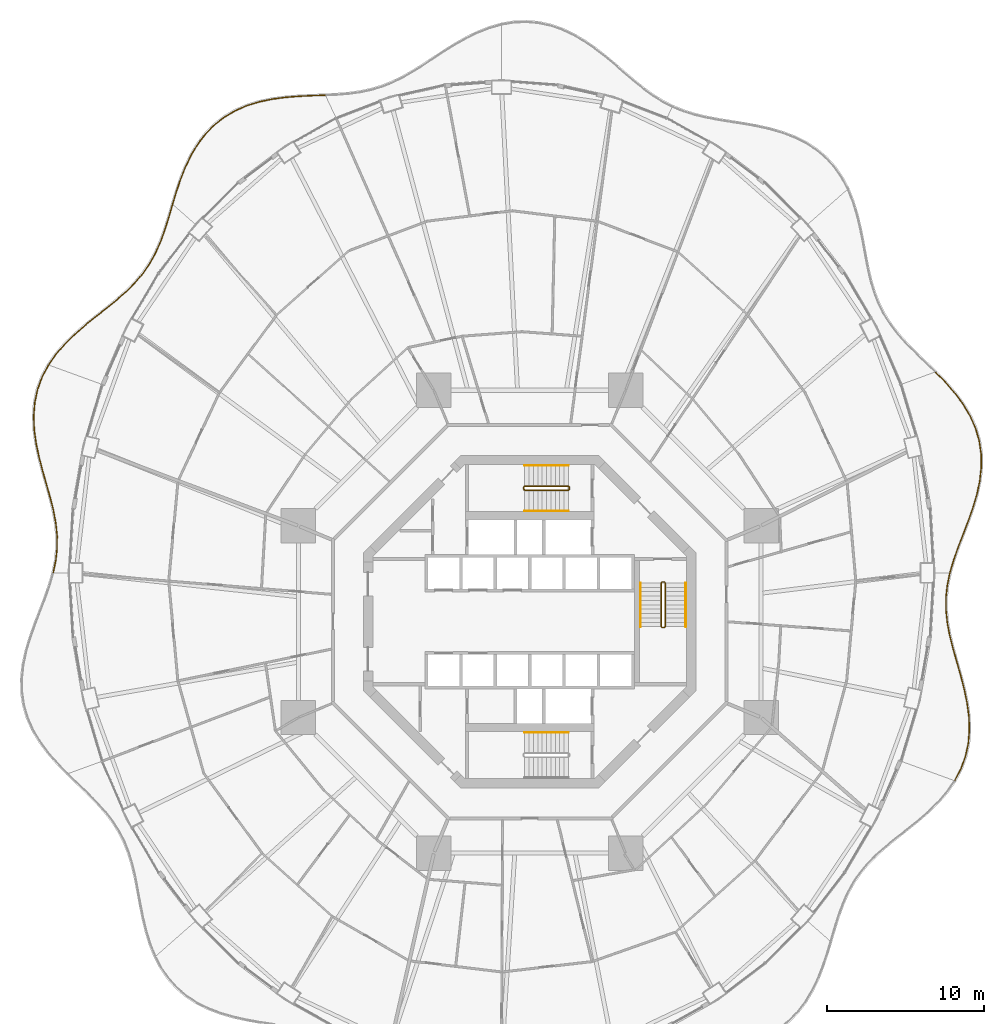
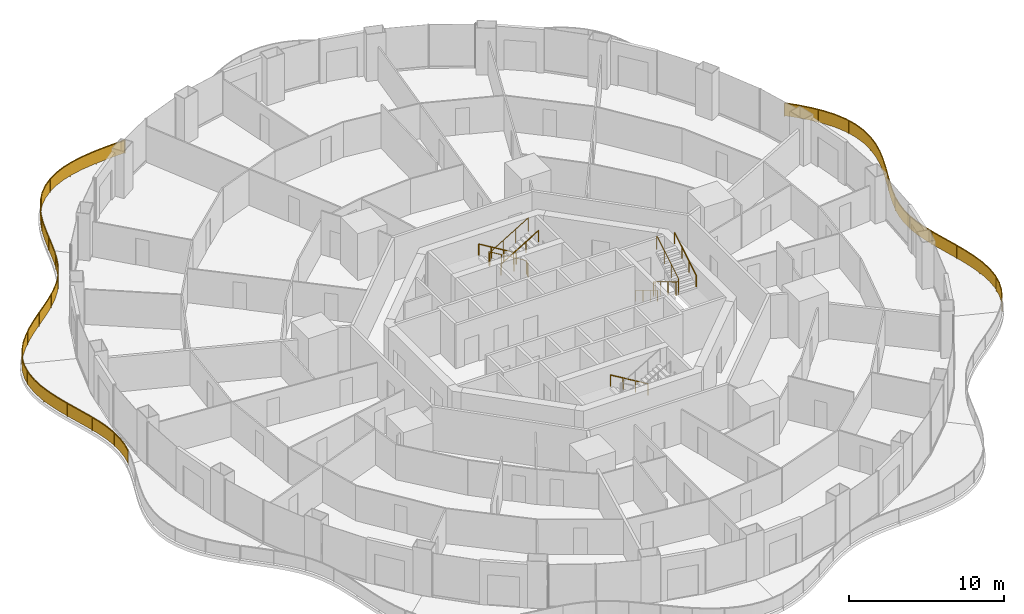
# One storey, part 21 of 22: 12 railings.
"""IFC4 building model written with IfcOpenShell, lengths in metres."""

from ifc_helpers import new_model, si_unit, direction, frame, origin, origin_2d, place, context, subcontext, project, spatial, polyline, rectangle, circle, outline, extrude, material, type_object, element, save


model = new_model("IFC4")

# Units and contexts
model_context = context("Model", 3, precision=1e-05, world=origin(), true_north=direction((0.0, 1.0)))
body_context = subcontext(model_context, "Body", "Model", "MODEL_VIEW")
ifc_project = project(units=[si_unit("LENGTHUNIT", "METRE"), si_unit("AREAUNIT", "SQUARE_METRE"), si_unit("VOLUMEUNIT", "CUBIC_METRE"), si_unit("PLANEANGLEUNIT", "RADIAN"), si_unit("MASSUNIT", "GRAM", prefix="KILO")], contexts=[model_context])

# Site, building, storey
site_placement = place(None, origin())
site = spatial("IfcSite", under=ifc_project, at=site_placement, CompositionType="ELEMENT")
building_placement = place(site_placement, origin())
building = spatial("IfcBuilding", under=site, at=building_placement, Name="Nagisa Residences", CompositionType="ELEMENT")
storey_placement = place(building_placement, frame((0.0, 0.0, 77.0)))
storey = spatial("IfcBuildingStorey", under=building, at=storey_placement, Name="L18", CompositionType="ELEMENT", Elevation=77.0)

# Railings
ifc_material_1 = material(Name="Stainless steel 316", Category="steel")
railing_type_1 = type_object("IfcRailingType", Name="BALCONY GUARD 1100", PredefinedType="BALUSTRADE", material=ifc_material_1)
railing_1_placement = place(storey_placement, frame((26.8505859375, 3.15185546875, 0.0)))
element("IfcRailing", 1, at=railing_1_placement, inside=storey, type_object=railing_type_1, Name="guard:L18:bal00-0", PredefinedType="BALUSTRADE", context=body_context, shape_type="SweptSolid", body=[
    extrude(outline(polyline([(0.19775390625, 0.763427734375), (-0.02392578125, 0.007080078125), (0.02392578125, -0.007080078125), (0.24560546875, 0.748291015625), (0.5302734375, 1.557373046875), (0.846923828125, 2.3828125), (1.169921875, 3.2255859375), (1.47314453125, 4.083740234375), (1.732666015625, 4.93994140625), (1.92041015625, 5.816650390625), (2.01806640625, 6.69189453125), (2.009765625, 7.55810546875), (1.886962890625, 8.406982421875), (1.650390625, 9.216796875), (1.298583984375, 10.0087890625), (0.84619140625, 10.765380859375), (0.309814453125, 11.485107421875), (-0.288818359375, 12.169677734375), (-0.896240234375, 12.789306640625), (-0.931884765625, 12.754150390625), (-0.325439453125, 12.135498046875), (0.270751953125, 11.453857421875), (0.8046875, 10.737548828125), (1.254150390625, 9.98583984375), (1.603515625, 9.19970703125), (1.838134765625, 8.396240234375), (1.9599609375, 7.55419921875), (1.9677734375, 6.6943359375), (1.87109375, 5.824462890625), (1.684326171875, 4.95263671875), (1.42578125, 4.099365234375), (1.123046875, 3.24267578125), (0.800048828125, 2.40087890625), (0.4833984375, 1.574462890625), (0.19775390625, 0.763427734375)])), frame((0.0, 0.0, 1.050048828125)), (0.0, 0.0, 1.0), 0.050048828125),
    extrude(outline(polyline([(0.215087890625, 0.758056640625), (-0.0068359375, 0.001953125), (0.0068359375, -0.001953125), (0.228271484375, 0.753662109375), (0.513427734375, 1.5634765625), (0.830078125, 2.389404296875), (1.153076171875, 3.231689453125), (1.4560546875, 4.08935546875), (1.71533203125, 4.944580078125), (1.902587890625, 5.8193359375), (2.0, 6.69287109375), (1.991943359375, 7.556640625), (1.869384765625, 8.403076171875), (1.633544921875, 9.210693359375), (1.282470703125, 10.00048828125), (0.831298828125, 10.75537109375), (0.295654296875, 11.473876953125), (-0.302001953125, 12.1572265625), (-0.9091796875, 12.776611328125), (-0.9189453125, 12.766845703125), (-0.312255859375, 12.14794921875), (0.284912109375, 11.465087890625), (0.819580078125, 10.74755859375), (1.270263671875, 9.994140625), (1.620361328125, 9.205810546875), (1.855712890625, 8.400146484375), (1.977783203125, 7.5556640625), (1.98583984375, 6.693359375), (1.888916015625, 5.82177734375), (1.70166015625, 4.947998046875), (1.44287109375, 4.09375), (1.139892578125, 3.236572265625), (0.81689453125, 2.394287109375), (0.500244140625, 1.568359375), (0.215087890625, 0.758056640625)])), frame((0.0, 0.0, 0.06005859375)), (0.0, 0.0, 1.0), 0.989990234375),
    extrude(rectangle(XDim=0.0400390625, YDim=0.0400390625, at=origin_2d()), origin(), (0.0, 0.0, 1.0), 1.050048828125),
    extrude(rectangle(XDim=0.0400390625, YDim=0.0400390625, at=origin_2d()), frame((0.75146484375, 2.203857421875, 0.0)), (0.0, 0.0, 1.0), 1.050048828125),
    extrude(rectangle(XDim=0.0400390625, YDim=0.0400390625, at=origin_2d()), frame((1.541259765625, 4.39453125, 0.0)), (0.0, 0.0, 1.0), 1.050048828125),
    extrude(rectangle(XDim=0.0400390625, YDim=0.0400390625, at=origin_2d()), frame((1.99072265625, 6.67431640625, 0.0)), (0.0, 0.0, 1.0), 1.050048828125),
    extrude(rectangle(XDim=0.0400390625, YDim=0.0400390625, at=origin_2d()), frame((1.6962890625, 8.97119140625, 0.0)), (0.0, 0.0, 1.0), 1.050048828125),
    extrude(rectangle(XDim=0.0400390625, YDim=0.0400390625, at=origin_2d()), frame((0.6220703125, 11.0244140625, 0.0)), (0.0, 0.0, 1.0), 1.050048828125),
    extrude(rectangle(XDim=0.0400390625, YDim=0.0400390625, at=origin_2d()), frame((-0.9140625, 12.771728515625, 0.0)), (0.0, 0.0, 1.0), 1.050048828125),
])
railing_2_placement = place(storey_placement, frame((-13.094482421875, 33.63037109375, 0.0)))
element("IfcRailing", 2, at=railing_2_placement, inside=storey, type_object=railing_type_1, Name="guard:L18:bal05-0", PredefinedType="BALUSTRADE", context=body_context, shape_type="SweptSolid", body=[
    extrude(outline(polyline([(-0.78466796875, -0.052001953125), (0.0009765625, -0.02490234375), (-0.0009765625, 0.02490234375), (-0.78662109375, -0.002197265625), (-1.63427734375, -0.04248046875), (-2.488525390625, -0.110595703125), (-3.337890625, -0.2236328125), (-4.168701171875, -0.39697265625), (-4.95703125, -0.635009765625), (-5.715087890625, -0.962646484375), (-6.41845703125, -1.376220703125), (-7.05859375, -1.874755859375), (-7.630126953125, -2.454345703125), (-8.1181640625, -3.09521484375), (-8.54931640625, -3.8076171875), (-8.917236328125, -4.56689453125), (-9.23095703125, -5.357666015625), (-9.503173828125, -6.16357421875), (-9.73291015625, -6.92724609375), (-9.68505859375, -6.94189453125), (-9.455322265625, -6.1787109375), (-9.18408203125, -5.374755859375), (-8.871337890625, -4.5869140625), (-8.50537109375, -3.83154296875), (-8.07666015625, -3.12353515625), (-7.592041015625, -2.487060546875), (-7.025390625, -1.912353515625), (-6.39013671875, -1.417724609375), (-5.692626953125, -1.007568359375), (-4.93994140625, -0.681884765625), (-4.156494140625, -0.4453125), (-3.32958984375, -0.27294921875), (-2.483154296875, -0.160400390625), (-1.630859375, -0.09228515625), (-0.78466796875, -0.052001953125)])), frame((0.0, 0.0, 1.050048828125)), (0.0, 0.0, 1.0), 0.050048828125),
    extrude(outline(polyline([(-0.785400390625, -0.0341796875), (0.000244140625, -0.007080078125), (-0.000244140625, 0.007080078125), (-0.785888671875, -0.02001953125), (-1.633056640625, -0.060302734375), (-2.486572265625, -0.12841796875), (-3.3349609375, -0.241455078125), (-4.164306640625, -0.414306640625), (-4.950927734375, -0.65185546875), (-5.70703125, -0.978759765625), (-6.408203125, -1.39111328125), (-7.046630859375, -1.888427734375), (-7.616455078125, -2.466064453125), (-8.103271484375, -3.10546875), (-8.533447265625, -3.816162109375), (-8.900634765625, -4.573974609375), (-9.214111328125, -5.36376953125), (-9.48583984375, -6.1689453125), (-9.715576171875, -6.9326171875), (-9.702392578125, -6.9365234375), (-9.47265625, -6.17333984375), (-9.200927734375, -5.36865234375), (-8.887939453125, -4.579833984375), (-8.521240234375, -3.822998046875), (-8.091552734375, -3.11328125), (-7.605712890625, -2.475341796875), (-7.037353515625, -1.898681640625), (-6.400390625, -1.40283203125), (-5.70068359375, -0.991455078125), (-4.946044921875, -0.6650390625), (-4.160888671875, -0.427978515625), (-3.33251953125, -0.255126953125), (-2.485107421875, -0.142578125), (-1.632080078125, -0.074462890625), (-0.785400390625, -0.0341796875)])), frame((0.0, 0.0, 0.06005859375)), (0.0, 0.0, 1.0), 0.989990234375),
    extrude(rectangle(XDim=0.0400390625, YDim=0.0400390625, at=origin_2d()), origin(), (0.0, 0.0, 1.0), 1.050048828125),
    extrude(rectangle(XDim=0.0400390625, YDim=0.0400390625, at=origin_2d()), frame((-2.203125, -0.113037109375, 0.0)), (0.0, 0.0, 1.0), 1.050048828125),
    extrude(rectangle(XDim=0.0400390625, YDim=0.0400390625, at=origin_2d()), frame((-4.373779296875, -0.48486328125, 0.0)), (0.0, 0.0, 1.0), 1.050048828125),
    extrude(rectangle(XDim=0.0400390625, YDim=0.0400390625, at=origin_2d()), frame((-6.378662109375, -1.3818359375, 0.0)), (0.0, 0.0, 1.0), 1.050048828125),
    extrude(rectangle(XDim=0.0400390625, YDim=0.0400390625, at=origin_2d()), frame((-7.948974609375, -2.91455078125, 0.0)), (0.0, 0.0, 1.0), 1.050048828125),
    extrude(rectangle(XDim=0.0400390625, YDim=0.0400390625, at=origin_2d()), frame((-9.001220703125, -4.84619140625, 0.0)), (0.0, 0.0, 1.0), 1.050048828125),
    extrude(rectangle(XDim=0.0400390625, YDim=0.0400390625, at=origin_2d()), frame((-9.708984375, -6.9345703125, 0.0)), (0.0, 0.0, 1.0), 1.050048828125),
])
railing_3_placement = place(storey_placement, frame((-22.823486328125, 26.622314453125, 0.0)))
element("IfcRailing", 3, at=railing_3_placement, inside=storey, type_object=railing_type_1, Name="guard:L18:bal06-0", PredefinedType="BALUSTRADE", context=body_context, shape_type="SweptSolid", body=[
    extrude(outline(polyline([(-0.207275390625, -0.795654296875), (0.02392578125, -0.007080078125), (-0.02392578125, 0.007080078125), (-0.255126953125, -0.781005859375), (-0.5078125, -1.58349609375), (-0.78564453125, -2.34765625), (-1.104248046875, -3.06689453125), (-1.475830078125, -3.739990234375), (-1.900390625, -4.356201171875), (-2.3974609375, -4.946533203125), (-2.956787109375, -5.5068359375), (-3.570556640625, -6.04833984375), (-4.22607421875, -6.582275390625), (-4.89990234375, -7.108154296875), (-5.585205078125, -7.66357421875), (-6.25341796875, -8.24560546875), (-6.88232421875, -8.862060546875), (-7.45068359375, -9.5185546875), (-7.913818359375, -10.177978515625), (-7.872802734375, -10.206787109375), (-7.4111328125, -9.54931640625), (-6.845703125, -8.896240234375), (-6.21923828125, -8.2822265625), (-5.552978515625, -7.70166015625), (-4.86865234375, -7.147216796875), (-4.19482421875, -6.621337890625), (-3.538330078125, -6.08642578125), (-2.922607421875, -5.54345703125), (-2.3603515625, -4.980224609375), (-1.8603515625, -4.386474609375), (-1.433349609375, -3.766357421875), (-1.059326171875, -3.08935546875), (-0.7392578125, -2.3662109375), (-0.46044921875, -1.599609375), (-0.207275390625, -0.795654296875)])), frame((0.0, 0.0, 1.050048828125)), (0.0, 0.0, 1.0), 0.050048828125),
    extrude(outline(polyline([(-0.224609375, -0.790283203125), (0.0068359375, -0.001953125), (-0.0068359375, 0.001953125), (-0.23779296875, -0.786376953125), (-0.49072265625, -1.58935546875), (-0.76904296875, -2.354248046875), (-1.088134765625, -3.074951171875), (-1.46044921875, -3.74951171875), (-1.885986328125, -4.3671875), (-2.384033203125, -4.958740234375), (-2.944580078125, -5.52001953125), (-3.55908203125, -6.06201171875), (-4.21484375, -6.596435546875), (-4.888671875, -7.122314453125), (-5.573486328125, -7.67724609375), (-6.240966796875, -8.2587890625), (-6.869140625, -8.874267578125), (-7.4365234375, -9.529541015625), (-7.89892578125, -10.1884765625), (-7.8876953125, -10.1962890625), (-7.42529296875, -9.538330078125), (-6.85888671875, -8.884033203125), (-6.231689453125, -8.26904296875), (-5.564697265625, -7.68798828125), (-4.8798828125, -7.133056640625), (-4.2060546875, -6.607177734375), (-3.5498046875, -6.07275390625), (-2.934814453125, -5.5302734375), (-2.373779296875, -4.968017578125), (-1.874755859375, -4.37548828125), (-1.44873046875, -3.7568359375), (-1.075439453125, -3.081298828125), (-0.755859375, -2.359619140625), (-0.4775390625, -1.59375), (-0.224609375, -0.790283203125)])), frame((0.0, 0.0, 0.06005859375)), (0.0, 0.0, 1.0), 0.989990234375),
    extrude(rectangle(XDim=0.0400390625, YDim=0.0400390625, at=origin_2d()), origin(), (0.0, 0.0, 1.0), 1.050048828125),
    extrude(rectangle(XDim=0.0400390625, YDim=0.0400390625, at=origin_2d()), frame((-0.6669921875, -2.094482421875, 0.0)), (0.0, 0.0, 1.0), 1.050048828125),
    extrude(rectangle(XDim=0.0400390625, YDim=0.0400390625, at=origin_2d()), frame((-1.65869140625, -4.04931640625, 0.0)), (0.0, 0.0, 1.0), 1.050048828125),
    extrude(rectangle(XDim=0.0400390625, YDim=0.0400390625, at=origin_2d()), frame((-3.119873046875, -5.68408203125, 0.0)), (0.0, 0.0, 1.0), 1.050048828125),
    extrude(rectangle(XDim=0.0400390625, YDim=0.0400390625, at=origin_2d()), frame((-4.81982421875, -7.077392578125, 0.0)), (0.0, 0.0, 1.0), 1.050048828125),
    extrude(rectangle(XDim=0.0400390625, YDim=0.0400390625, at=origin_2d()), frame((-6.48681640625, -8.509521484375, 0.0)), (0.0, 0.0, 1.0), 1.050048828125),
    extrude(rectangle(XDim=0.0400390625, YDim=0.0400390625, at=origin_2d()), frame((-7.893310546875, -10.1923828125, 0.0)), (0.0, 0.0, 1.0), 1.050048828125),
])
railing_4_placement = place(storey_placement, frame((-30.757568359375, 16.3642578125, 0.0)))
element("IfcRailing", 4, at=railing_4_placement, inside=storey, type_object=railing_type_1, Name="guard:L18:bal07-0", PredefinedType="BALUSTRADE", context=body_context, shape_type="SweptSolid", body=[
    extrude(outline(polyline([(-0.361572265625, -0.73193359375), (0.02197265625, -0.01171875), (-0.02197265625, 0.01171875), (-0.407470703125, -0.71142578125), (-0.703369140625, -1.517578125), (-0.884521484375, -2.3583984375), (-0.95361328125, -3.2255859375), (-0.919921875, -4.109375), (-0.7958984375, -4.9873046875), (-0.6083984375, -5.877197265625), (-0.378173828125, -6.7578125), (-0.13134765625, -7.62353515625), (0.1064453125, -8.47119140625), (0.312255859375, -9.285888671875), (0.461669921875, -10.095947265625), (0.541259765625, -10.8916015625), (0.540771484375, -11.677734375), (0.45703125, -12.4609375), (0.302001953125, -13.206787109375), (0.350830078125, -13.217041015625), (0.50634765625, -12.46875), (0.590576171875, -11.6806640625), (0.591552734375, -10.88916015625), (0.511474609375, -10.089111328125), (0.361083984375, -9.275146484375), (0.15478515625, -8.45849609375), (-0.0830078125, -7.60986328125), (-0.329833984375, -6.74462890625), (-0.5595703125, -5.865478515625), (-0.74658203125, -4.978515625), (-0.8701171875, -4.10498046875), (-0.9033203125, -3.2265625), (-0.834716796875, -2.36572265625), (-0.655029296875, -1.53173828125), (-0.361572265625, -0.73193359375)])), frame((0.0, 0.0, 1.050048828125)), (0.0, 0.0, 1.0), 0.050048828125),
    extrude(outline(polyline([(-0.378173828125, -0.724609375), (0.006103515625, -0.003173828125), (-0.006103515625, 0.003173828125), (-0.390869140625, -0.71875), (-0.68603515625, -1.522705078125), (-0.866455078125, -2.361083984375), (-0.935546875, -3.225830078125), (-0.902099609375, -4.10791015625), (-0.778076171875, -4.984130859375), (-0.5908203125, -5.873046875), (-0.36083984375, -6.753173828125), (-0.114013671875, -7.61865234375), (0.123779296875, -8.466552734375), (0.329833984375, -9.281982421875), (0.479736328125, -10.093505859375), (0.559326171875, -10.890625), (0.55859375, -11.6787109375), (0.474853515625, -12.4638671875), (0.319580078125, -13.21044921875), (0.333251953125, -13.21337890625), (0.488525390625, -12.4658203125), (0.57275390625, -11.6796875), (0.573486328125, -10.89013671875), (0.493408203125, -10.091552734375), (0.343505859375, -9.279052734375), (0.137451171875, -8.463134765625), (-0.100341796875, -7.61474609375), (-0.34716796875, -6.749267578125), (-0.5771484375, -5.86962890625), (-0.764404296875, -4.981689453125), (-0.887939453125, -4.1064453125), (-0.92138671875, -3.226318359375), (-0.852783203125, -2.363037109375), (-0.67236328125, -1.526611328125), (-0.378173828125, -0.724609375)])), frame((0.0, 0.0, 0.06005859375)), (0.0, 0.0, 1.0), 0.989990234375),
    extrude(rectangle(XDim=0.0400390625, YDim=0.0400390625, at=origin_2d()), origin(), (0.0, 0.0, 1.0), 1.050048828125),
    extrude(rectangle(XDim=0.0400390625, YDim=0.0400390625, at=origin_2d()), frame((-0.80322265625, -2.100341796875, 0.0)), (0.0, 0.0, 1.0), 1.050048828125),
    extrude(rectangle(XDim=0.0400390625, YDim=0.0400390625, at=origin_2d()), frame((-0.860595703125, -4.3505859375, 0.0)), (0.0, 0.0, 1.0), 1.050048828125),
    extrude(rectangle(XDim=0.0400390625, YDim=0.0400390625, at=origin_2d()), frame((-0.403076171875, -6.5634765625, 0.0)), (0.0, 0.0, 1.0), 1.050048828125),
    extrude(rectangle(XDim=0.0400390625, YDim=0.0400390625, at=origin_2d()), frame((0.200927734375, -8.7431640625, 0.0)), (0.0, 0.0, 1.0), 1.050048828125),
    extrude(rectangle(XDim=0.0400390625, YDim=0.0400390625, at=origin_2d()), frame((0.56640625, -10.970458984375, 0.0)), (0.0, 0.0, 1.0), 1.050048828125),
    extrude(rectangle(XDim=0.0400390625, YDim=0.0400390625, at=origin_2d()), frame((0.326416015625, -13.2119140625, 0.0)), (0.0, 0.0, 1.0), 1.050048828125),
])
railing_5_placement = place(storey_placement, frame((27.15771484375, -10.128662109375, 0.0)))
element("IfcRailing", 5, at=railing_5_placement, inside=storey, type_object=railing_type_1, Name="guard:L18:bal15-0", PredefinedType="BALUSTRADE", context=body_context, shape_type="SweptSolid", body=[
    extrude(outline(polyline([(0.361328125, 0.731689453125), (-0.02197265625, 0.01171875), (0.02197265625, -0.01171875), (0.4072265625, 0.711181640625), (0.703125, 1.517333984375), (0.884521484375, 2.358154296875), (0.953369140625, 3.225341796875), (0.919677734375, 4.109375), (0.795654296875, 4.987060546875), (0.608154296875, 5.876953125), (0.3779296875, 6.757568359375), (0.131103515625, 7.62353515625), (-0.106689453125, 8.470947265625), (-0.312255859375, 9.28564453125), (-0.4619140625, 10.095703125), (-0.541259765625, 10.891357421875), (-0.541015625, 11.677978515625), (-0.457275390625, 12.4609375), (-0.302001953125, 13.20654296875), (-0.350830078125, 13.216796875), (-0.506591796875, 12.46875), (-0.5908203125, 11.680419921875), (-0.591552734375, 10.888916015625), (-0.51171875, 10.0888671875), (-0.361083984375, 9.27490234375), (-0.155029296875, 8.458251953125), (0.082763671875, 7.60986328125), (0.32958984375, 6.744384765625), (0.559326171875, 5.865234375), (0.746337890625, 4.978271484375), (0.869873046875, 4.10498046875), (0.903076171875, 3.226318359375), (0.834716796875, 2.365478515625), (0.65478515625, 1.531494140625), (0.361328125, 0.731689453125)])), frame((0.0, 0.0, 1.050048828125)), (0.0, 0.0, 1.0), 0.050048828125),
    extrude(outline(polyline([(0.3779296875, 0.724365234375), (-0.006103515625, 0.003173828125), (0.006103515625, -0.003173828125), (0.390625, 0.718505859375), (0.685791015625, 1.5224609375), (0.866455078125, 2.36083984375), (0.935302734375, 3.2255859375), (0.90185546875, 4.10791015625), (0.77783203125, 4.98388671875), (0.590576171875, 5.872802734375), (0.360595703125, 6.7529296875), (0.11376953125, 7.61865234375), (-0.1240234375, 8.46630859375), (-0.329833984375, 9.28173828125), (-0.47998046875, 10.09326171875), (-0.559326171875, 10.890380859375), (-0.558837890625, 11.6787109375), (-0.47509765625, 12.4638671875), (-0.319580078125, 13.210205078125), (-0.333251953125, 13.213134765625), (-0.48876953125, 12.4658203125), (-0.572998046875, 11.6796875), (-0.573486328125, 10.889892578125), (-0.49365234375, 10.09130859375), (-0.343505859375, 9.27880859375), (-0.1376953125, 8.462890625), (0.10009765625, 7.61474609375), (0.346923828125, 6.7490234375), (0.576904296875, 5.869384765625), (0.76416015625, 4.9814453125), (0.8876953125, 4.1064453125), (0.921142578125, 3.22607421875), (0.852783203125, 2.36279296875), (0.672119140625, 1.5263671875), (0.3779296875, 0.724365234375)])), frame((0.0, 0.0, 0.06005859375)), (0.0, 0.0, 1.0), 0.989990234375),
    extrude(rectangle(XDim=0.0400390625, YDim=0.0400390625, at=origin_2d()), origin(), (0.0, 0.0, 1.0), 1.050048828125),
    extrude(rectangle(XDim=0.0400390625, YDim=0.0400390625, at=origin_2d()), frame((0.80322265625, 2.100341796875, 0.0)), (0.0, 0.0, 1.0), 1.050048828125),
    extrude(rectangle(XDim=0.0400390625, YDim=0.0400390625, at=origin_2d()), frame((0.8603515625, 4.350341796875, 0.0)), (0.0, 0.0, 1.0), 1.050048828125),
    extrude(rectangle(XDim=0.0400390625, YDim=0.0400390625, at=origin_2d()), frame((0.40283203125, 6.563232421875, 0.0)), (0.0, 0.0, 1.0), 1.050048828125),
    extrude(rectangle(XDim=0.0400390625, YDim=0.0400390625, at=origin_2d()), frame((-0.201171875, 8.742919921875, 0.0)), (0.0, 0.0, 1.0), 1.050048828125),
    extrude(rectangle(XDim=0.0400390625, YDim=0.0400390625, at=origin_2d()), frame((-0.56640625, 10.97021484375, 0.0)), (0.0, 0.0, 1.0), 1.050048828125),
    extrude(rectangle(XDim=0.0400390625, YDim=0.0400390625, at=origin_2d()), frame((-0.326416015625, 13.211669921875, 0.0)), (0.0, 0.0, 1.0), 1.050048828125),
])
ifc_material_2 = material(Name="Stainless steel", Category="steel")
railing_type_2 = type_object("IfcRailingType", Name="Stair guard 1100", PredefinedType="GUARDRAIL", material=ifc_material_2)
railing_6_placement = place(storey_placement, frame((8.599609375, 2.52490234375, 0.0)))
element("IfcRailing", 6, at=railing_6_placement, inside=storey, type_object=railing_type_2, Name="L18 ST-E stair guard 1", PredefinedType="GUARDRAIL", context=body_context, shape_type="SweptSolid", body=[
    extrude(circle(Radius=0.02392578125, at=origin_2d()), frame((0.0, 0.0, 1.076171875), z_axis=(-1.0, 0.0, 0.0), x_axis=(0.0, -1.0, 0.0)), (0.0, 0.0, 1.0), 0.14990234375),
    extrude(circle(Radius=0.02392578125, at=origin_2d()), frame((-0.14990234375, 0.0, 1.076171875), z_axis=(-0.27434429532, -0.273006030465, 0.922064485248), x_axis=(0.705375805398, -0.708833529934, 0.0)), (0.0, 0.0, 1.0), 0.182373046875),
    extrude(circle(Radius=0.02392578125, at=origin_2d()), frame((-0.199951171875, -0.0498046875, 1.244140625), z_axis=(0.0, -0.857242210791, 0.514913383045), x_axis=(1.0, 0.0, 0.0)), (0.0, 0.0, 1.0), 3.266357421875),
    extrude(circle(Radius=0.02392578125, at=origin_2d()), frame((-0.199951171875, -2.849853515625, 2.92626953125), z_axis=(0.707106781187, -0.707106781187, 0.0), x_axis=(0.707106781187, 0.707106781187, 0.0)), (0.0, 0.0, 1.0), 0.07080078125),
    extrude(circle(Radius=0.02392578125, at=origin_2d()), frame((-0.14990234375, -2.89990234375, 2.92626953125), z_axis=(1.0, 0.0, 0.0), x_axis=(0.0, 1.0, 0.0)), (0.0, 0.0, 1.0), 0.14990234375),
    extrude(circle(Radius=0.02392578125, at=origin_2d()), frame((0.0, -2.89990234375, 2.92626953125), z_axis=(0.274582412415, 0.274582412415, 0.921525364591), x_axis=(-0.707106781187, 0.707106781187, 0.0)), (0.0, 0.0, 1.0), 0.182373046875),
    extrude(circle(Radius=0.02392578125, at=origin_2d()), frame((0.050048828125, -2.849853515625, 3.09423828125), z_axis=(0.0, 0.857242210791, 0.514913383045), x_axis=(-1.0, 0.0, 0.0)), (0.0, 0.0, 1.0), 3.266357421875),
    extrude(circle(Radius=0.02099609375, at=origin_2d()), origin(), (0.0, 0.0, 1.0), 1.052001953125),
    extrude(circle(Radius=0.02099609375, at=origin_2d()), frame((-0.14990234375, 0.0, 0.0)), (0.0, 0.0, 1.0), 1.052001953125),
    extrude(circle(Radius=0.02099609375, at=origin_2d()), frame((-0.199951171875, -0.0498046875, 0.168212890625)), (0.0, 0.0, 1.0), 1.052001953125),
    extrude(circle(Radius=0.02099609375, at=origin_2d()), frame((-0.199951171875, -0.983154296875, 0.728759765625)), (0.0, 0.0, 1.0), 1.052001953125),
    extrude(circle(Radius=0.02099609375, at=origin_2d()), frame((-0.199951171875, -1.91650390625, 1.28955078125)), (0.0, 0.0, 1.0), 1.052001953125),
    extrude(circle(Radius=0.02099609375, at=origin_2d()), frame((-0.199951171875, -2.849853515625, 1.85009765625)), (0.0, 0.0, 1.0), 1.052001953125),
    extrude(circle(Radius=0.02099609375, at=origin_2d()), frame((-0.14990234375, -2.89990234375, 1.85009765625)), (0.0, 0.0, 1.0), 1.052001953125),
    extrude(circle(Radius=0.02099609375, at=origin_2d()), frame((0.0, -2.89990234375, 1.85009765625)), (0.0, 0.0, 1.0), 1.052001953125),
    extrude(circle(Radius=0.02099609375, at=origin_2d()), frame((0.050048828125, -2.849853515625, 2.01806640625)), (0.0, 0.0, 1.0), 1.052001953125),
    extrude(circle(Radius=0.02099609375, at=origin_2d()), frame((0.050048828125, -1.91650390625, 2.57861328125)), (0.0, 0.0, 1.0), 1.052001953125),
    extrude(circle(Radius=0.02099609375, at=origin_2d()), frame((0.050048828125, -0.983154296875, 3.139404296875)), (0.0, 0.0, 1.0), 1.052001953125),
    extrude(circle(Radius=0.02099609375, at=origin_2d()), frame((0.050048828125, -0.0498046875, 3.699951171875)), (0.0, 0.0, 1.0), 1.052001953125),
])
railing_7_placement = place(storey_placement, frame((2.52490234375, 8.44970703125, 0.0)))
element("IfcRailing", 7, at=railing_7_placement, inside=storey, type_object=railing_type_2, Name="L18 ST-N stair guard 1", PredefinedType="GUARDRAIL", context=body_context, shape_type="SweptSolid", body=[
    extrude(circle(Radius=0.02392578125, at=origin_2d()), frame((0.0, 0.0, 1.076171875), z_axis=(0.0, 1.0, 0.0), x_axis=(-1.0, 0.0, 0.0)), (0.0, 0.0, 1.0), 0.14990234375),
    extrude(circle(Radius=0.02392578125, at=origin_2d()), frame((0.0, 0.14990234375, 1.076171875), z_axis=(-0.273006030465, 0.27434429532, 0.922064485248), x_axis=(-0.708833529934, -0.705375805398, 0.0)), (0.0, 0.0, 1.0), 0.182373046875),
    extrude(circle(Radius=0.02392578125, at=origin_2d()), frame((-0.0498046875, 0.199951171875, 1.244140625), z_axis=(-0.857242210791, 0.0, 0.514913383045), x_axis=(0.0, -1.0, 0.0)), (0.0, 0.0, 1.0), 3.266357421875),
    extrude(circle(Radius=0.02392578125, at=origin_2d()), frame((-2.849853515625, 0.199951171875, 2.92626953125), z_axis=(-0.707106781187, -0.707106781187, 0.0), x_axis=(0.707106781187, -0.707106781187, 0.0)), (0.0, 0.0, 1.0), 0.07080078125),
    extrude(circle(Radius=0.02392578125, at=origin_2d()), frame((-2.89990234375, 0.14990234375, 2.92626953125), z_axis=(0.0, -1.0, 0.0), x_axis=(1.0, 0.0, 0.0)), (0.0, 0.0, 1.0), 0.14990234375),
    extrude(circle(Radius=0.02392578125, at=origin_2d()), frame((-2.89990234375, 0.0, 2.92626953125), z_axis=(0.274582412415, -0.274582412415, 0.921525364591), x_axis=(0.707106781187, 0.707106781187, 0.0)), (0.0, 0.0, 1.0), 0.182373046875),
    extrude(circle(Radius=0.02392578125, at=origin_2d()), frame((-2.849853515625, -0.050048828125, 3.09423828125), z_axis=(0.857242210791, 0.0, 0.514913383045), x_axis=(0.0, 1.0, 0.0)), (0.0, 0.0, 1.0), 3.266357421875),
    extrude(circle(Radius=0.02099609375, at=origin_2d()), origin(), (0.0, 0.0, 1.0), 1.052001953125),
    extrude(circle(Radius=0.02099609375, at=origin_2d()), frame((0.0, 0.14990234375, 0.0)), (0.0, 0.0, 1.0), 1.052001953125),
    extrude(circle(Radius=0.02099609375, at=origin_2d()), frame((-0.0498046875, 0.199951171875, 0.168212890625)), (0.0, 0.0, 1.0), 1.052001953125),
    extrude(circle(Radius=0.02099609375, at=origin_2d()), frame((-0.983154296875, 0.199951171875, 0.728759765625)), (0.0, 0.0, 1.0), 1.052001953125),
    extrude(circle(Radius=0.02099609375, at=origin_2d()), frame((-1.91650390625, 0.199951171875, 1.28955078125)), (0.0, 0.0, 1.0), 1.052001953125),
    extrude(circle(Radius=0.02099609375, at=origin_2d()), frame((-2.849853515625, 0.199951171875, 1.85009765625)), (0.0, 0.0, 1.0), 1.052001953125),
    extrude(circle(Radius=0.02099609375, at=origin_2d()), frame((-2.89990234375, 0.14990234375, 1.85009765625)), (0.0, 0.0, 1.0), 1.052001953125),
    extrude(circle(Radius=0.02099609375, at=origin_2d()), frame((-2.89990234375, 0.0, 1.85009765625)), (0.0, 0.0, 1.0), 1.052001953125),
    extrude(circle(Radius=0.02099609375, at=origin_2d()), frame((-2.849853515625, -0.050048828125, 2.01806640625)), (0.0, 0.0, 1.0), 1.052001953125),
    extrude(circle(Radius=0.02099609375, at=origin_2d()), frame((-1.91650390625, -0.050048828125, 2.57861328125)), (0.0, 0.0, 1.0), 1.052001953125),
    extrude(circle(Radius=0.02099609375, at=origin_2d()), frame((-0.983154296875, -0.050048828125, 3.139404296875)), (0.0, 0.0, 1.0), 1.052001953125),
    extrude(circle(Radius=0.02099609375, at=origin_2d()), frame((-0.0498046875, -0.050048828125, 3.699951171875)), (0.0, 0.0, 1.0), 1.052001953125),
])
ifc_material_3 = material(Name="Stainless steel", Category="steel")
railing_type_3 = type_object("IfcRailingType", Name="Stair handrail 900", PredefinedType="HANDRAIL", material=ifc_material_3)
railing_8_placement = place(storey_placement, frame((7.07470703125, 2.47509765625, 0.168212890625)))
element("IfcRailing", 8, at=railing_8_placement, inside=storey, type_object=railing_type_3, Name="L18 ST-E stair handrail 1", PredefinedType="HANDRAIL", context=body_context, shape_type="SweptSolid", body=[
    extrude(circle(Radius=0.02392578125, at=origin_2d()), frame((0.0, 0.0, 0.8759765625), z_axis=(0.0, -0.857242210791, 0.514913383045), x_axis=(1.0, 0.0, 0.0)), (0.0, 0.0, 1.0), 3.266357421875),
    extrude(circle(Radius=0.02099609375, at=origin_2d()), origin(), (0.0, 0.0, 1.0), 0.851806640625),
    extrude(circle(Radius=0.02099609375, at=origin_2d()), frame((0.0, -0.933349609375, 0.560546875)), (0.0, 0.0, 1.0), 0.851806640625),
    extrude(circle(Radius=0.02099609375, at=origin_2d()), frame((0.0, -1.86669921875, 1.121337890625)), (0.0, 0.0, 1.0), 0.851806640625),
    extrude(circle(Radius=0.02099609375, at=origin_2d()), frame((0.0, -2.800048828125, 1.681884765625)), (0.0, 0.0, 1.0), 0.851806640625),
])
railing_9_placement = place(storey_placement, frame((9.974609375, -0.324951171875, 2.01806640625)))
element("IfcRailing", 9, at=railing_9_placement, inside=storey, type_object=railing_type_3, Name="L18 ST-E stair handrail 2", PredefinedType="HANDRAIL", context=body_context, shape_type="SweptSolid", body=[
    extrude(circle(Radius=0.02392578125, at=origin_2d()), frame((0.0, 0.0, 0.8759765625), z_axis=(0.0, 0.857242210791, 0.514913383045), x_axis=(-1.0, 0.0, 0.0)), (0.0, 0.0, 1.0), 3.266357421875),
    extrude(circle(Radius=0.02099609375, at=origin_2d()), origin(), (0.0, 0.0, 1.0), 0.851806640625),
    extrude(circle(Radius=0.02099609375, at=origin_2d()), frame((0.0, 0.933349609375, 0.560546875)), (0.0, 0.0, 1.0), 0.851806640625),
    extrude(circle(Radius=0.02099609375, at=origin_2d()), frame((0.0, 1.86669921875, 1.121337890625)), (0.0, 0.0, 1.0), 0.851806640625),
    extrude(circle(Radius=0.02099609375, at=origin_2d()), frame((0.0, 2.800048828125, 1.681884765625)), (0.0, 0.0, 1.0), 0.851806640625),
])
railing_10_placement = place(storey_placement, frame((2.47509765625, 9.974609375, 0.168212890625)))
element("IfcRailing", 10, at=railing_10_placement, inside=storey, type_object=railing_type_3, Name="L18 ST-N stair handrail 1", PredefinedType="HANDRAIL", context=body_context, shape_type="SweptSolid", body=[
    extrude(circle(Radius=0.02392578125, at=origin_2d()), frame((0.0, 0.0, 0.8759765625), z_axis=(-0.857242210791, 0.0, 0.514913383045), x_axis=(0.0, -1.0, 0.0)), (0.0, 0.0, 1.0), 3.266357421875),
    extrude(circle(Radius=0.02099609375, at=origin_2d()), origin(), (0.0, 0.0, 1.0), 0.851806640625),
    extrude(circle(Radius=0.02099609375, at=origin_2d()), frame((-0.933349609375, 0.0, 0.560546875)), (0.0, 0.0, 1.0), 0.851806640625),
    extrude(circle(Radius=0.02099609375, at=origin_2d()), frame((-1.86669921875, 0.0, 1.121337890625)), (0.0, 0.0, 1.0), 0.851806640625),
    extrude(circle(Radius=0.02099609375, at=origin_2d()), frame((-2.800048828125, 0.0, 1.681884765625)), (0.0, 0.0, 1.0), 0.851806640625),
])
railing_11_placement = place(storey_placement, frame((-0.324951171875, 7.07470703125, 2.01806640625)))
element("IfcRailing", 11, at=railing_11_placement, inside=storey, type_object=railing_type_3, Name="L18 ST-N stair handrail 2", PredefinedType="HANDRAIL", context=body_context, shape_type="SweptSolid", body=[
    extrude(circle(Radius=0.02392578125, at=origin_2d()), frame((0.0, 0.0, 0.8759765625), z_axis=(0.857242210791, 0.0, 0.514913383045), x_axis=(0.0, 1.0, 0.0)), (0.0, 0.0, 1.0), 3.266357421875),
    extrude(circle(Radius=0.02099609375, at=origin_2d()), origin(), (0.0, 0.0, 1.0), 0.851806640625),
    extrude(circle(Radius=0.02099609375, at=origin_2d()), frame((0.933349609375, 0.0, 0.560546875)), (0.0, 0.0, 1.0), 0.851806640625),
    extrude(circle(Radius=0.02099609375, at=origin_2d()), frame((1.86669921875, 0.0, 1.121337890625)), (0.0, 0.0, 1.0), 0.851806640625),
    extrude(circle(Radius=0.02099609375, at=origin_2d()), frame((2.800048828125, 0.0, 1.681884765625)), (0.0, 0.0, 1.0), 0.851806640625),
])
railing_12_placement = place(storey_placement, frame((2.47509765625, -7.07470703125, 0.168212890625)))
element("IfcRailing", 12, at=railing_12_placement, inside=storey, type_object=railing_type_3, Name="L18 ST-S stair handrail 1", PredefinedType="HANDRAIL", context=body_context, shape_type="SweptSolid", body=[
    extrude(circle(Radius=0.02392578125, at=origin_2d()), frame((0.0, 0.0, 0.8759765625), z_axis=(-0.857242210791, 0.0, 0.514913383045), x_axis=(0.0, -1.0, 0.0)), (0.0, 0.0, 1.0), 3.266357421875),
    extrude(circle(Radius=0.02099609375, at=origin_2d()), origin(), (0.0, 0.0, 1.0), 0.851806640625),
    extrude(circle(Radius=0.02099609375, at=origin_2d()), frame((-0.933349609375, 0.0, 0.560546875)), (0.0, 0.0, 1.0), 0.851806640625),
    extrude(circle(Radius=0.02099609375, at=origin_2d()), frame((-1.86669921875, 0.0, 1.121337890625)), (0.0, 0.0, 1.0), 0.851806640625),
    extrude(circle(Radius=0.02099609375, at=origin_2d()), frame((-2.800048828125, 0.0, 1.681884765625)), (0.0, 0.0, 1.0), 0.851806640625),
])

save(model, "model.ifc")
